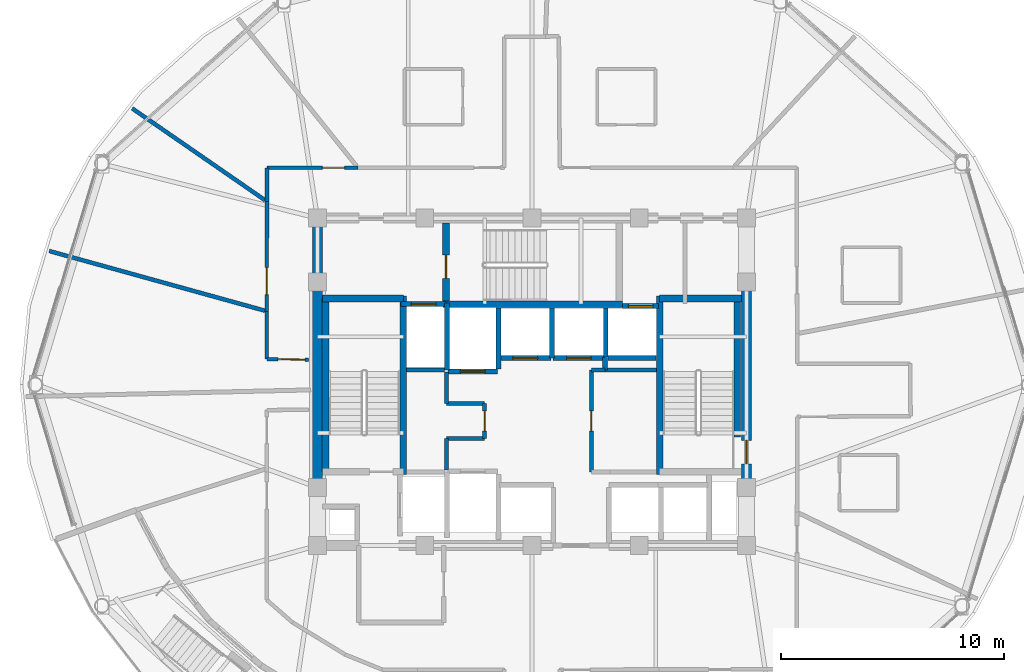
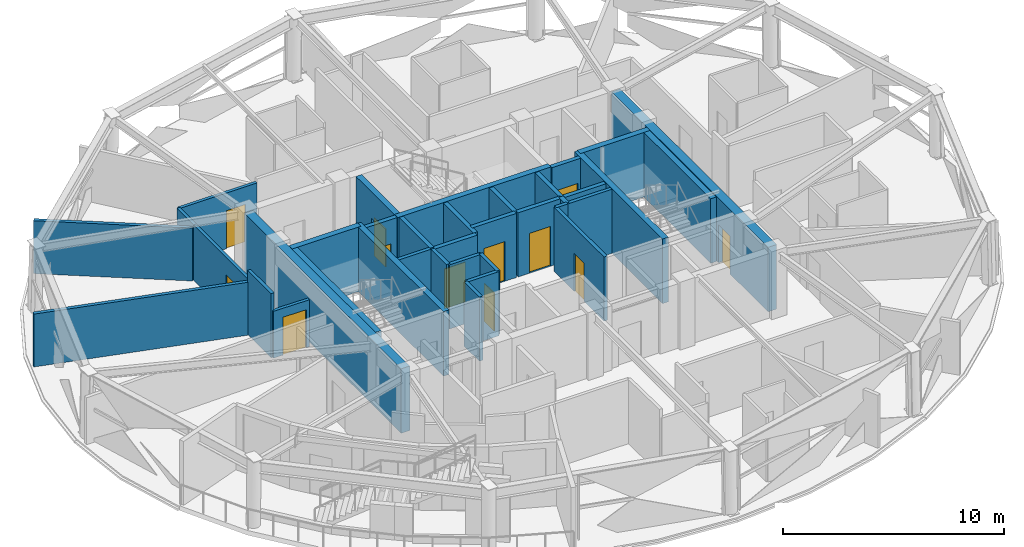
# One storey, part 11 of 17: 37 walls, 12 doors, 12 openings.
"""IFC4 building model written with IfcOpenShell, lengths in metres."""

from ifc_helpers import new_model, si_unit, direction, frame, frame_2d, origin, place, context, subcontext, project, spatial, rectangle, extrude, material, layer, layer_set, type_object, element, fill, save


model = new_model("IFC4")

# Units and contexts
model_context = context("Model", 3, precision=1e-05, world=origin(), true_north=direction((0.0, 1.0)))
body_context = subcontext(model_context, "Body", "Model", "MODEL_VIEW")
ifc_project = project(units=[si_unit("LENGTHUNIT", "METRE"), si_unit("AREAUNIT", "SQUARE_METRE"), si_unit("VOLUMEUNIT", "CUBIC_METRE"), si_unit("PLANEANGLEUNIT", "RADIAN"), si_unit("MASSUNIT", "GRAM", prefix="KILO")], contexts=[model_context])

# Site, building, storey
site_placement = place(None, origin())
site = spatial("IfcSite", under=ifc_project, at=site_placement, CompositionType="ELEMENT")
building_placement = place(site_placement, origin())
building = spatial("IfcBuilding", under=site, at=building_placement, Name="Vantalir Tower", CompositionType="ELEMENT")
storey_placement = place(building_placement, frame((0.0, 0.0, 208.64990234375)))
storey = spatial("IfcBuildingStorey", under=building, at=storey_placement, Name="L52", CompositionType="ELEMENT", Elevation=208.64990234375)

# Wall
ifc_material_1 = material(Name="Concrete C50/60", Category="concrete")
ifc_layer_1 = layer(ifc_material_1, 0.449951171875)
ifc_layer_set_1 = layer_set([ifc_layer_1], Name="Concrete C50/60")
wall_type_1 = type_object("IfcWallType", Name="WL-CORE-450", PredefinedType="SHEAR", material=ifc_layer_set_1)
wall_1_placement = place(storey_placement, frame((21.89990234375, 18.02490234375, 0.0), z_axis=(0.0, 0.0, 1.0), x_axis=(0.0, 1.0, 0.0)))
element("IfcWall", 1, at=wall_1_placement, inside=storey, type_object=wall_type_1, Name="L52 Core Shear Wall West", PredefinedType="SHEAR", context=body_context, shape_type="SweptSolid", body=[
    extrude(rectangle(XDim=14.2001953125, YDim=0.449951171875, at=frame_2d((7.10009765625, 0.0))), origin(), (0.0, 0.0, 1.0), 3.570068359375),
])

# Wall, opening, door
wall_2_placement = place(storey_placement, frame((41.10009765625, 18.02490234375, 0.0), z_axis=(0.0, 0.0, 1.0), x_axis=(0.0, 1.0, 0.0)))
wall_2 = element("IfcWall", 2, at=wall_2_placement, inside=storey, type_object=wall_type_1, Name="L52 Core Shear Wall East", PredefinedType="SHEAR", context=body_context, shape_type="SweptSolid", body=[
    extrude(rectangle(XDim=14.2001953125, YDim=0.449951171875, at=frame_2d((7.10009765625, 0.0))), origin(), (0.0, 0.0, 1.0), 3.570068359375),
])
opening_1_placement = place(wall_2_placement, frame((3.43505859375, 0.0, 0.0)))
opening_1 = element("IfcOpeningElement", 3, at=opening_1_placement, cuts=wall_2, Name="Opening D-ST", PredefinedType="OPENING", context=body_context, shape_type="SweptSolid", body=[
    extrude(rectangle(XDim=1.050048828125, YDim=2.10009765625, at=frame_2d((0.52490234375, 1.050048828125))), frame((0.0, 0.23486328125, 0.0), z_axis=(0.0, -1.0, 0.0), x_axis=(1.0, 0.0, 0.0)), (0.0, 0.0, 1.0), 0.469970703125),
])
ifc_material_2 = material(Name="Fire-rated steel door leaf", Category="steel")
door_type_1 = type_object("IfcDoorType", Name="DR-FIRE-STAIR-1050", OperationType="NOTDEFINED", PredefinedType="DOOR", material=ifc_material_2)
door_1_placement = place(opening_1_placement, origin())
door_1 = element("IfcDoor", 4, at=door_1_placement, inside=storey, type_object=door_type_1, Name="L52 Exit Stair ST2 Fire Door", OperationType="SINGLE_SWING_LEFT", OverallHeight=2.10009765625, OverallWidth=1.050048828125, PredefinedType="DOOR", context=body_context, shape_type="SweptSolid", body=[
    extrude(rectangle(XDim=1.050048828125, YDim=2.10009765625, at=frame_2d((0.52490234375, 1.050048828125))), frame((0.0, 0.02490234375, 0.0), z_axis=(0.0, -1.0, 0.0), x_axis=(1.0, 0.0, 0.0)), (0.0, 0.0, 1.0), 0.050048828125),
])
fill(opening_1, door_1)

ifc_material_3 = material(Name="Fire-rated hotel corridor acoustic partition", Category="gypsum")
ifc_layer_2 = layer(ifc_material_3, 0.159912109375)
ifc_layer_set_2 = layer_set([ifc_layer_2], Name="Fire-rated hotel corridor acoustic partition")
wall_type_2 = type_object("IfcWallType", Name="WL-CORR-160", PredefinedType="PARTITIONING", material=ifc_layer_set_2)
wall_3_placement = place(storey_placement, frame((21.4951171875, 26.116943359375, 0.0), z_axis=(0.0, 0.0, 1.0), x_axis=(-0.999908537082, 0.013524698532, 0.0)))
wall_3 = element("IfcWall", 5, at=wall_3_placement, inside=storey, type_object=wall_type_2, Name="L52 Corridor Partition 01", PredefinedType="PARTITIONING", context=body_context, shape_type="SweptSolid", body=[
    extrude(rectangle(XDim=1.859375, YDim=0.159912109375, at=frame_2d((0.9296875, 0.0))), origin(), (0.0, 0.0, 1.0), 2.59521484375),
])
opening_2_placement = place(wall_3_placement, frame((0.159912109375, 0.0, 0.0)))
opening_2 = element("IfcOpeningElement", 6, at=opening_2_placement, cuts=wall_3, Name="Opening D-STE", PredefinedType="OPENING", context=body_context, shape_type="SweptSolid", body=[
    extrude(rectangle(XDim=1.199951171875, YDim=2.10009765625, at=frame_2d((0.60009765625, 1.050048828125))), frame((0.0, 0.08984375, 0.0), z_axis=(0.0, -1.0, 0.0), x_axis=(1.0, 0.0, 0.0)), (0.0, 0.0, 1.0), 0.179931640625),
])
ifc_material_4 = material(Name="Solid-core teak veneer suite entrance door", Category="wood")
door_type_2 = type_object("IfcDoorType", Name="DR-SUITE-ENTRY-1200", OperationType="NOTDEFINED", PredefinedType="DOOR", material=ifc_material_4)
door_2_placement = place(opening_2_placement, origin())
door_2 = element("IfcDoor", 7, at=door_2_placement, inside=storey, type_object=door_type_2, Name="L52 Club Reading Lounge 06 Door", OperationType="SINGLE_SWING_LEFT", OverallHeight=2.10009765625, OverallWidth=1.199951171875, PredefinedType="DOOR", context=body_context, shape_type="SweptSolid", body=[
    extrude(rectangle(XDim=1.199951171875, YDim=2.10009765625, at=frame_2d((0.60009765625, 1.050048828125))), frame((0.0, 0.02490234375, 0.0), z_axis=(0.0, -1.0, 0.0), x_axis=(1.0, 0.0, 0.0)), (0.0, 0.0, 1.0), 0.050048828125),
])
fill(opening_2, door_2)

# Wall
wall_4_placement = place(storey_placement, frame((19.635986328125, 26.14208984375, 0.0), z_axis=(0.0, 0.0, 1.0), x_axis=(0.00091230433, 0.99999958385, 0.0)))
element("IfcWall", 8, at=wall_4_placement, inside=storey, type_object=wall_type_2, Name="L52 Corridor Partition 02", PredefinedType="PARTITIONING", context=body_context, shape_type="SweptSolid", body=[
    extrude(rectangle(XDim=2.140869140625, YDim=0.159912109375, at=frame_2d((1.0703125, 0.0))), origin(), (0.0, 0.0, 1.0), 3.550048828125),
])

# Wall, opening, door
wall_5_placement = place(storey_placement, frame((19.637939453125, 28.282958984375, 0.0), z_axis=(0.0, 0.0, 1.0), x_axis=(0.001044152175, 0.999999454873, 0.0)))
wall_5 = element("IfcWall", 9, at=wall_5_placement, inside=storey, type_object=wall_type_2, Name="L52 Corridor Partition 03", PredefinedType="PARTITIONING", context=body_context, shape_type="SweptSolid", body=[
    extrude(rectangle(XDim=4.91015625, YDim=0.159912109375, at=frame_2d((2.455078125, 0.0))), origin(), (0.0, 0.0, 1.0), 3.0810546875),
])
opening_3_placement = place(wall_5_placement, frame((0.75, 0.0, 0.0)))
opening_3 = element("IfcOpeningElement", 10, at=opening_3_placement, cuts=wall_5, Name="Opening D-STE", PredefinedType="OPENING", context=body_context, shape_type="SweptSolid", body=[
    extrude(rectangle(XDim=1.199951171875, YDim=2.10009765625, at=frame_2d((0.60009765625, 1.050048828125))), frame((0.0, 0.08984375, 0.0), z_axis=(0.0, -1.0, 0.0), x_axis=(1.0, 0.0, 0.0)), (0.0, 0.0, 1.0), 0.179931640625),
])
door_3_placement = place(opening_3_placement, origin())
door_3 = element("IfcDoor", 11, at=door_3_placement, inside=storey, type_object=door_type_2, Name="L52 Club Reading Lounge 05 Door", OperationType="SINGLE_SWING_RIGHT", OverallHeight=2.10009765625, OverallWidth=1.199951171875, PredefinedType="DOOR", context=body_context, shape_type="SweptSolid", body=[
    extrude(rectangle(XDim=1.199951171875, YDim=2.10009765625, at=frame_2d((0.60009765625, 1.050048828125))), frame((0.0, 0.02490234375, 0.0), z_axis=(0.0, -1.0, 0.0), x_axis=(1.0, 0.0, 0.0)), (0.0, 0.0, 1.0), 0.050048828125),
])
fill(opening_3, door_3)

# Wall
wall_6_placement = place(storey_placement, frame((19.64306640625, 33.193115234375, 0.0), z_axis=(0.0, 0.0, 1.0), x_axis=(0.000648088004, 0.999999789991, 0.0)))
element("IfcWall", 12, at=wall_6_placement, inside=storey, type_object=wall_type_2, Name="L52 Corridor Partition 04", PredefinedType="PARTITIONING", context=body_context, shape_type="SweptSolid", body=[
    extrude(rectangle(XDim=1.5068359375, YDim=0.159912109375, at=frame_2d((0.75341796875, 0.0))), origin(), (0.0, 0.0, 1.0), 3.0810546875),
])

# Wall, opening, door
wall_7_placement = place(storey_placement, frame((19.64404296875, 34.699951171875, 0.0), z_axis=(0.0, 0.0, 1.0), x_axis=(0.999998873831, 0.001500778716, 0.0)))
wall_7 = element("IfcWall", 13, at=wall_7_placement, inside=storey, type_object=wall_type_2, Name="L52 Corridor Partition 05", PredefinedType="PARTITIONING", context=body_context, shape_type="SweptSolid", body=[
    extrude(rectangle(XDim=4.06689453125, YDim=0.159912109375, at=frame_2d((2.033447265625, 0.0))), origin(), (0.0, 0.0, 1.0), 3.0810546875),
])
opening_4_placement = place(wall_7_placement, frame((2.472900390625, 0.0, 0.0)))
opening_4 = element("IfcOpeningElement", 14, at=opening_4_placement, cuts=wall_7, Name="Opening D-GUEST", PredefinedType="OPENING", context=body_context, shape_type="SweptSolid", body=[
    extrude(rectangle(XDim=1.0, YDim=2.10009765625, at=frame_2d((0.5, 1.050048828125))), frame((0.0, 0.08984375, 0.0), z_axis=(0.0, -1.0, 0.0), x_axis=(1.0, 0.0, 0.0)), (0.0, 0.0, 1.0), 0.179931640625),
])
ifc_material_5 = material(Name="Solid-core teak veneer acoustic fire door", Category="wood")
door_type_3 = type_object("IfcDoorType", Name="DR-GUEST-ENTRY-1000", OperationType="NOTDEFINED", PredefinedType="DOOR", material=ifc_material_5)
door_4_placement = place(opening_4_placement, origin())
door_4 = element("IfcDoor", 15, at=door_4_placement, inside=storey, type_object=door_type_3, Name="L52 Executive Business Study 04 Door", OperationType="SINGLE_SWING_LEFT", OverallHeight=2.10009765625, OverallWidth=1.0, PredefinedType="DOOR", context=body_context, shape_type="SweptSolid", body=[
    extrude(rectangle(XDim=1.0, YDim=2.10009765625, at=frame_2d((0.5, 1.050048828125))), frame((0.0, 0.02490234375, 0.0), z_axis=(0.0, -1.0, 0.0), x_axis=(1.0, 0.0, 0.0)), (0.0, 0.0, 1.0), 0.050048828125),
])
fill(opening_4, door_4)

# Walls
ifc_material_6 = material(Name="Concrete blockwork with fireboard lining", Category="masonry")
ifc_layer_3 = layer(ifc_material_6, 0.219970703125)
ifc_layer_set_3 = layer_set([ifc_layer_3], Name="Concrete blockwork with fireboard lining")
wall_type_3 = type_object("IfcWallType", Name="WL-FFL-220", PredefinedType="PARTITIONING", material=ifc_layer_set_3)
wall_8_placement = place(storey_placement, frame((30.0, 25.7099609375, 0.0), z_axis=(0.0, 0.0, 1.0), x_axis=(0.0, 1.0, 0.0)))
element("IfcWall", 16, at=wall_8_placement, inside=storey, type_object=wall_type_3, Name="L52 Service Lift SV2 East Shaft Wall", PredefinedType="PARTITIONING", context=body_context, shape_type="SweptSolid", body=[
    extrude(rectangle(XDim=2.72998046875, YDim=0.219970703125, at=frame_2d((1.364990234375, 0.0))), origin(), (0.0, 0.0, 1.0), 3.545166015625),
])
wall_9_placement = place(storey_placement, frame((32.39990234375, 26.199951171875, 0.0), z_axis=(0.0, 0.0, 1.0), x_axis=(0.0, 1.0, 0.0)))
element("IfcWall", 17, at=wall_9_placement, inside=storey, type_object=wall_type_3, Name="L52 High-Rise Lift PL-H1/H2 Shaft Divider", PredefinedType="PARTITIONING", context=body_context, shape_type="SweptSolid", body=[
    extrude(rectangle(XDim=2.239990234375, YDim=0.219970703125, at=frame_2d((1.1201171875, 0.0))), origin(), (0.0, 0.0, 1.0), 3.545166015625),
])
wall_10_placement = place(storey_placement, frame((34.800048828125, 26.22998046875, 0.0), z_axis=(0.0, 0.0, 1.0), x_axis=(0.0, 1.0, 0.0)))
element("IfcWall", 18, at=wall_10_placement, inside=storey, type_object=wall_type_3, Name="L52 High-Rise Lift PL-H2/H3 Shaft Divider", PredefinedType="PARTITIONING", context=body_context, shape_type="SweptSolid", body=[
    extrude(rectangle(XDim=2.2099609375, YDim=0.219970703125, at=frame_2d((1.10498046875, 0.0))), origin(), (0.0, 0.0, 1.0), 3.545166015625),
])
wall_11_placement = place(storey_placement, frame((34.909912109375, 26.18994140625, 0.0), z_axis=(0.0, 0.0, 1.0), x_axis=(1.0, 0.0, 0.0)))
element("IfcWall", 19, at=wall_11_placement, inside=storey, type_object=wall_type_3, Name="L52 High-Rise Lift PL-H3 Rear Shaft Wall", PredefinedType="PARTITIONING", context=body_context, shape_type="SweptSolid", body=[
    extrude(rectangle(XDim=2.14013671875, YDim=0.219970703125, at=frame_2d((1.070068359375, 0.0))), origin(), (0.0, 0.0, 1.0), 3.545166015625),
])

# Wall, opening, door
wall_12_placement = place(storey_placement, frame((25.639892578125, 28.610107421875, 0.0), z_axis=(0.0, 0.0, 1.0), x_axis=(1.0, 0.0, 0.0)))
wall_12 = element("IfcWall", 20, at=wall_12_placement, inside=storey, type_object=wall_type_3, Name="L52 Lift FL2 Shaft Front Wall", PredefinedType="PARTITIONING", context=body_context, shape_type="SweptSolid", body=[
    extrude(rectangle(XDim=2.02001953125, YDim=0.219970703125, at=frame_2d((1.010009765625, 0.0))), origin(), (0.0, 0.0, 1.0), 3.550048828125),
])
opening_5_placement = place(wall_12_placement, frame((0.4599609375, 0.0, 0.0)))
opening_5 = element("IfcOpeningElement", 21, at=opening_5_placement, cuts=wall_12, Name="Opening LD-FL2", PredefinedType="OPENING", context=body_context, shape_type="SweptSolid", body=[
    extrude(rectangle(XDim=1.10009765625, YDim=2.199951171875, at=frame_2d((0.550048828125, 1.10009765625))), frame((0.0, 0.119873046875, 0.0), z_axis=(0.0, -1.0, 0.0), x_axis=(1.0, 0.0, 0.0)), (0.0, 0.0, 1.0), 0.239990234375),
])
ifc_material_7 = material(Name="Brushed stainless-steel sliding lift landing door", Category="steel")
door_type_4 = type_object("IfcDoorType", Name="DR-LIFT-LANDING-1100", OperationType="DOUBLE_DOOR_SLIDING", PredefinedType="DOOR", material=ifc_material_7)
door_5_placement = place(opening_5_placement, origin())
door_5 = element("IfcDoor", 22, at=door_5_placement, inside=storey, type_object=door_type_4, Name="L52 Lift Landing Door FL2", OperationType="DOUBLE_DOOR_SLIDING", OverallHeight=2.199951171875, OverallWidth=1.10009765625, PredefinedType="DOOR", context=body_context, shape_type="SweptSolid", body=[
    extrude(rectangle(XDim=1.10009765625, YDim=2.199951171875, at=frame_2d((0.550048828125, 1.10009765625))), frame((0.0, 0.02490234375, 0.0), z_axis=(0.0, -1.0, 0.0), x_axis=(1.0, 0.0, 0.0)), (0.0, 0.0, 1.0), 0.050048828125),
])
fill(opening_5, door_5)

wall_13_placement = place(storey_placement, frame((27.739990234375, 25.590087890625, 0.0), z_axis=(0.0, 0.0, 1.0), x_axis=(1.0, 0.0, 0.0)))
wall_13 = element("IfcWall", 23, at=wall_13_placement, inside=storey, type_object=wall_type_3, Name="L52 Lift SV2 Shaft Front Wall", PredefinedType="PARTITIONING", context=body_context, shape_type="SweptSolid", body=[
    extrude(rectangle(XDim=2.219970703125, YDim=0.219970703125, at=frame_2d((1.10986328125, 0.0))), origin(), (0.0, 0.0, 1.0), 3.550048828125),
])
opening_6_placement = place(wall_13_placement, frame((0.56005859375, 0.0, 0.0)))
opening_6 = element("IfcOpeningElement", 24, at=opening_6_placement, cuts=wall_13, Name="Opening LD-SV2", PredefinedType="OPENING", context=body_context, shape_type="SweptSolid", body=[
    extrude(rectangle(XDim=1.10009765625, YDim=2.199951171875, at=frame_2d((0.550048828125, 1.10009765625))), frame((0.0, 0.119873046875, 0.0), z_axis=(0.0, -1.0, 0.0), x_axis=(1.0, 0.0, 0.0)), (0.0, 0.0, 1.0), 0.239990234375),
])
door_6_placement = place(opening_6_placement, frame((1.10009765625, 0.0, 0.0), z_axis=(0.0, 0.0, 1.0), x_axis=(-1.0, 0.0, 0.0)))
door_6 = element("IfcDoor", 25, at=door_6_placement, inside=storey, type_object=door_type_4, Name="L52 Lift Landing Door SV2", OperationType="DOUBLE_DOOR_SLIDING", OverallHeight=2.199951171875, OverallWidth=1.10009765625, PredefinedType="DOOR", context=body_context, shape_type="SweptSolid", body=[
    extrude(rectangle(XDim=1.10009765625, YDim=2.199951171875, at=frame_2d((0.550048828125, 1.10009765625))), frame((0.0, 0.02490234375, 0.0), z_axis=(0.0, -1.0, 0.0), x_axis=(1.0, 0.0, 0.0)), (0.0, 0.0, 1.0), 0.050048828125),
])
fill(opening_6, door_6)

wall_14_placement = place(storey_placement, frame((30.0400390625, 26.18994140625, 0.0), z_axis=(0.0, 0.0, 1.0), x_axis=(1.0, 0.0, 0.0)))
wall_14 = element("IfcWall", 26, at=wall_14_placement, inside=storey, type_object=wall_type_3, Name="L52 Lift PL-H1 Shaft Front Wall", PredefinedType="PARTITIONING", context=body_context, shape_type="SweptSolid", body=[
    extrude(rectangle(XDim=2.320068359375, YDim=0.219970703125, at=frame_2d((1.16015625, 0.0))), origin(), (0.0, 0.0, 1.0), 3.550048828125),
])
opening_7_placement = place(wall_14_placement, frame((0.610107421875, 0.0, 0.0)))
opening_7 = element("IfcOpeningElement", 27, at=opening_7_placement, cuts=wall_14, Name="Opening LD-PL-H1", PredefinedType="OPENING", context=body_context, shape_type="SweptSolid", body=[
    extrude(rectangle(XDim=1.10009765625, YDim=2.199951171875, at=frame_2d((0.550048828125, 1.10009765625))), frame((0.0, 0.119873046875, 0.0), z_axis=(0.0, -1.0, 0.0), x_axis=(1.0, 0.0, 0.0)), (0.0, 0.0, 1.0), 0.239990234375),
])
door_7_placement = place(opening_7_placement, frame((1.10009765625, 0.0, 0.0), z_axis=(0.0, 0.0, 1.0), x_axis=(-1.0, 0.0, 0.0)))
door_7 = element("IfcDoor", 28, at=door_7_placement, inside=storey, type_object=door_type_4, Name="L52 Lift Landing Door PL-H1", OperationType="DOUBLE_DOOR_SLIDING", OverallHeight=2.199951171875, OverallWidth=1.10009765625, PredefinedType="DOOR", context=body_context, shape_type="SweptSolid", body=[
    extrude(rectangle(XDim=1.10009765625, YDim=2.199951171875, at=frame_2d((0.550048828125, 1.10009765625))), frame((0.0, 0.02490234375, 0.0), z_axis=(0.0, -1.0, 0.0), x_axis=(1.0, 0.0, 0.0)), (0.0, 0.0, 1.0), 0.050048828125),
])
fill(opening_7, door_7)

wall_15_placement = place(storey_placement, frame((32.43994140625, 26.18994140625, 0.0), z_axis=(0.0, 0.0, 1.0), x_axis=(1.0, 0.0, 0.0)))
wall_15 = element("IfcWall", 29, at=wall_15_placement, inside=storey, type_object=wall_type_3, Name="L52 Lift PL-H2 Shaft Front Wall", PredefinedType="PARTITIONING", context=body_context, shape_type="SweptSolid", body=[
    extrude(rectangle(XDim=2.320068359375, YDim=0.219970703125, at=frame_2d((1.16015625, 0.0))), origin(), (0.0, 0.0, 1.0), 3.550048828125),
])
opening_8_placement = place(wall_15_placement, frame((0.610107421875, 0.0, 0.0)))
opening_8 = element("IfcOpeningElement", 30, at=opening_8_placement, cuts=wall_15, Name="Opening LD-PL-H2", PredefinedType="OPENING", context=body_context, shape_type="SweptSolid", body=[
    extrude(rectangle(XDim=1.10009765625, YDim=2.199951171875, at=frame_2d((0.550048828125, 1.10009765625))), frame((0.0, 0.119873046875, 0.0), z_axis=(0.0, -1.0, 0.0), x_axis=(1.0, 0.0, 0.0)), (0.0, 0.0, 1.0), 0.239990234375),
])
door_8_placement = place(opening_8_placement, frame((1.10009765625, 0.0, 0.0), z_axis=(0.0, 0.0, 1.0), x_axis=(-1.0, 0.0, 0.0)))
door_8 = element("IfcDoor", 31, at=door_8_placement, inside=storey, type_object=door_type_4, Name="L52 Lift Landing Door PL-H2", OperationType="DOUBLE_DOOR_SLIDING", OverallHeight=2.199951171875, OverallWidth=1.10009765625, PredefinedType="DOOR", context=body_context, shape_type="SweptSolid", body=[
    extrude(rectangle(XDim=1.10009765625, YDim=2.199951171875, at=frame_2d((0.550048828125, 1.10009765625))), frame((0.0, 0.02490234375, 0.0), z_axis=(0.0, -1.0, 0.0), x_axis=(1.0, 0.0, 0.0)), (0.0, 0.0, 1.0), 0.050048828125),
])
fill(opening_8, door_8)

wall_16_placement = place(storey_placement, frame((35.56005859375, 28.510009765625, 0.0), z_axis=(0.0, 0.0, 1.0), x_axis=(1.0, 0.0, 0.0)))
wall_16 = element("IfcWall", 32, at=wall_16_placement, inside=storey, type_object=wall_type_3, Name="L52 Lift PL-H3 Shaft Front Wall", PredefinedType="PARTITIONING", context=body_context, shape_type="SweptSolid", body=[
    extrude(rectangle(XDim=1.599853515625, YDim=0.219970703125, at=frame_2d((0.7998046875, 0.0))), origin(), (0.0, 0.0, 1.0), 3.550048828125),
])
opening_9_placement = place(wall_16_placement, frame((0.25, 0.0, 0.0)))
opening_9 = element("IfcOpeningElement", 33, at=opening_9_placement, cuts=wall_16, Name="Opening LD-PL-H3", PredefinedType="OPENING", context=body_context, shape_type="SweptSolid", body=[
    extrude(rectangle(XDim=1.10009765625, YDim=2.199951171875, at=frame_2d((0.550048828125, 1.10009765625))), frame((0.0, 0.119873046875, 0.0), z_axis=(0.0, -1.0, 0.0), x_axis=(1.0, 0.0, 0.0)), (0.0, 0.0, 1.0), 0.239990234375),
])
door_9_placement = place(opening_9_placement, origin())
door_9 = element("IfcDoor", 34, at=door_9_placement, inside=storey, type_object=door_type_4, Name="L52 Lift Landing Door PL-H3", OperationType="DOUBLE_DOOR_SLIDING", OverallHeight=2.199951171875, OverallWidth=1.10009765625, PredefinedType="DOOR", context=body_context, shape_type="SweptSolid", body=[
    extrude(rectangle(XDim=1.10009765625, YDim=2.199951171875, at=frame_2d((0.550048828125, 1.10009765625))), frame((0.0, 0.02490234375, 0.0), z_axis=(0.0, -1.0, 0.0), x_axis=(1.0, 0.0, 0.0)), (0.0, 0.0, 1.0), 0.050048828125),
])
fill(opening_9, door_9)

# Walls
wall_17_placement = place(storey_placement, frame((27.699951171875, 25.64990234375, 0.0), z_axis=(0.0, 0.0, 1.0), x_axis=(0.0, 1.0, 0.0)))
element("IfcWall", 35, at=wall_17_placement, inside=storey, type_object=wall_type_3, Name="L52 Fire Lift FL2 Dividing Wall", PredefinedType="PARTITIONING", context=body_context, shape_type="SweptSolid", body=[
    extrude(rectangle(XDim=3.0, YDim=0.219970703125, at=frame_2d((1.5, 0.0))), origin(), (0.0, 0.0, 1.0), 3.550048828125),
])
wall_18_placement = place(storey_placement, frame((34.760009765625, 25.64990234375, 0.0), z_axis=(0.0, 0.0, 1.0), x_axis=(0.0, 1.0, 0.0)))
element("IfcWall", 36, at=wall_18_placement, inside=storey, type_object=wall_type_3, Name="L52 High-Rise Shaft Shoulder Wall", PredefinedType="PARTITIONING", context=body_context, shape_type="SweptSolid", body=[
    extrude(rectangle(XDim=0.570068359375, YDim=0.219970703125, at=frame_2d((0.28515625, 0.0))), origin(), (0.0, 0.0, 1.0), 3.550048828125),
])
ifc_material_8 = material(Name="Twin-stud acoustic fire-rated gypsum partition", Category="gypsum")
ifc_layer_4 = layer(ifc_material_8, 0.179931640625)
ifc_layer_set_4 = layer_set([ifc_layer_4], Name="Twin-stud acoustic fire-rated gypsum partition")
wall_type_4 = type_object("IfcWallType", Name="WL-GUEST-180", PredefinedType="PARTITIONING", material=ifc_layer_set_4)
wall_19_placement = place(storey_placement, frame((25.889892578125, 25.64990234375, 0.0), z_axis=(0.0, 0.0, 1.0), x_axis=(1.0, 0.0, 0.0)))
element("IfcWall", 37, at=wall_19_placement, inside=storey, type_object=wall_type_4, Name="L52 Freed West Core North Wall", PredefinedType="PARTITIONING", context=body_context, shape_type="SweptSolid", body=[
    extrude(rectangle(XDim=1.7001953125, YDim=0.179931640625, at=frame_2d((0.85009765625, 0.0))), origin(), (0.0, 0.0, 1.0), 3.550048828125),
])
wall_20_placement = place(storey_placement, frame((27.679931640625, 21.18994140625, 0.0), z_axis=(0.0, 0.0, 1.0), x_axis=(0.0, 1.0, 0.0)))
element("IfcWall", 38, at=wall_20_placement, inside=storey, type_object=wall_type_4, Name="L52 West IT Room Lower East Wall", PredefinedType="PARTITIONING", context=body_context, shape_type="SweptSolid", body=[
    extrude(rectangle(XDim=1.39013671875, YDim=0.179931640625, at=frame_2d((0.695068359375, 0.0))), origin(), (0.0, 0.0, 1.0), 3.550048828125),
])
wall_21_placement = place(storey_placement, frame((27.679931640625, 22.580078125, 0.0), z_axis=(0.0, 0.0, 1.0), x_axis=(1.0, 0.0, 0.0)))
element("IfcWall", 39, at=wall_21_placement, inside=storey, type_object=wall_type_4, Name="L52 West IT Room Alcove South Wall", PredefinedType="PARTITIONING", context=body_context, shape_type="SweptSolid", body=[
    extrude(rectangle(XDim=1.699951171875, YDim=0.179931640625, at=frame_2d((0.85009765625, 0.0))), origin(), (0.0, 0.0, 1.0), 3.550048828125),
])

# Wall, opening, door
wall_22_placement = place(storey_placement, frame((29.3798828125, 22.580078125, 0.0), z_axis=(0.0, 0.0, 1.0), x_axis=(0.0, 1.0, 0.0)))
wall_22 = element("IfcWall", 40, at=wall_22_placement, inside=storey, type_object=wall_type_4, Name="L52 West IT Room Alcove East Wall", PredefinedType="PARTITIONING", context=body_context, shape_type="SweptSolid", body=[
    extrude(rectangle(XDim=1.579833984375, YDim=0.179931640625, at=frame_2d((0.7900390625, 0.0))), origin(), (0.0, 0.0, 1.0), 3.550048828125),
])
opening_10_placement = place(wall_22_placement, frame((0.340087890625, 0.0, 0.0)))
opening_10 = element("IfcOpeningElement", 41, at=opening_10_placement, cuts=wall_22, Name="Opening D-CR", PredefinedType="OPENING", context=body_context, shape_type="SweptSolid", body=[
    extrude(rectangle(XDim=0.89990234375, YDim=2.10009765625, at=frame_2d((0.449951171875, 1.050048828125))), frame((0.0, 0.099853515625, 0.0), z_axis=(0.0, -1.0, 0.0), x_axis=(1.0, 0.0, 0.0)), (0.0, 0.0, 1.0), 0.199951171875),
])
ifc_material_9 = material(Name="Fire-rated steel core service door", Category="steel")
door_type_5 = type_object("IfcDoorType", Name="DR-CORE-SERV-900", OperationType="NOTDEFINED", PredefinedType="DOOR", material=ifc_material_9)
door_10_placement = place(opening_10_placement, origin())
door_10 = element("IfcDoor", 42, at=door_10_placement, inside=storey, type_object=door_type_5, Name="L52 Core IT Comms Door", OperationType="SINGLE_SWING_RIGHT", OverallHeight=2.10009765625, OverallWidth=0.89990234375, PredefinedType="DOOR", context=body_context, shape_type="SweptSolid", body=[
    extrude(rectangle(XDim=0.89990234375, YDim=2.10009765625, at=frame_2d((0.449951171875, 1.050048828125))), frame((0.0, 0.02490234375, 0.0), z_axis=(0.0, -1.0, 0.0), x_axis=(1.0, 0.0, 0.0)), (0.0, 0.0, 1.0), 0.050048828125),
])
fill(opening_10, door_10)

# Walls
wall_23_placement = place(storey_placement, frame((27.679931640625, 24.159912109375, 0.0), z_axis=(0.0, 0.0, 1.0), x_axis=(1.0, 0.0, 0.0)))
element("IfcWall", 43, at=wall_23_placement, inside=storey, type_object=wall_type_4, Name="L52 West IT Room Alcove North Wall", PredefinedType="PARTITIONING", context=body_context, shape_type="SweptSolid", body=[
    extrude(rectangle(XDim=1.699951171875, YDim=0.179931640625, at=frame_2d((0.85009765625, 0.0))), origin(), (0.0, 0.0, 1.0), 3.550048828125),
])
wall_24_placement = place(storey_placement, frame((27.679931640625, 24.159912109375, 0.0), z_axis=(0.0, 0.0, 1.0), x_axis=(0.0, 1.0, 0.0)))
element("IfcWall", 44, at=wall_24_placement, inside=storey, type_object=wall_type_4, Name="L52 West IT Room Upper East Wall", PredefinedType="PARTITIONING", context=body_context, shape_type="SweptSolid", body=[
    extrude(rectangle(XDim=1.400146484375, YDim=0.179931640625, at=frame_2d((0.7001953125, 0.0))), origin(), (0.0, 0.0, 1.0), 3.550048828125),
])
wall_25_placement = place(storey_placement, frame((34.719970703125, 25.64990234375, 0.0), z_axis=(0.0, 0.0, 1.0), x_axis=(1.0, 0.0, 0.0)))
element("IfcWall", 45, at=wall_25_placement, inside=storey, type_object=wall_type_4, Name="L52 Freed East Core North Wall", PredefinedType="PARTITIONING", context=body_context, shape_type="SweptSolid", body=[
    extrude(rectangle(XDim=2.340087890625, YDim=0.179931640625, at=frame_2d((1.169921875, 0.0))), origin(), (0.0, 0.0, 1.0), 3.550048828125),
])
wall_26_placement = place(storey_placement, frame((34.159912109375, 25.64990234375, 0.0), z_axis=(0.0, 0.0, 1.0), x_axis=(1.0, 0.0, 0.0)))
element("IfcWall", 46, at=wall_26_placement, inside=storey, type_object=wall_type_4, Name="L52 East IT Room North Return", PredefinedType="PARTITIONING", context=body_context, shape_type="SweptSolid", body=[
    extrude(rectangle(XDim=0.60009765625, YDim=0.179931640625, at=frame_2d((0.300048828125, 0.0))), origin(), (0.0, 0.0, 1.0), 3.550048828125),
])

# Wall, opening, door
wall_27_placement = place(storey_placement, frame((34.159912109375, 21.10009765625, 0.0), z_axis=(0.0, 0.0, 1.0), x_axis=(0.0, 1.0, 0.0)))
wall_27 = element("IfcWall", 47, at=wall_27_placement, inside=storey, type_object=wall_type_4, Name="L52 East IT Room West Wall", PredefinedType="PARTITIONING", context=body_context, shape_type="SweptSolid", body=[
    extrude(rectangle(XDim=4.5498046875, YDim=0.179931640625, at=frame_2d((2.27490234375, 0.0))), origin(), (0.0, 0.0, 1.0), 3.550048828125),
])
opening_11_placement = place(wall_27_placement, frame((1.824951171875, 0.0, 0.0)))
opening_11 = element("IfcOpeningElement", 48, at=opening_11_placement, cuts=wall_27, Name="Opening D-CR", PredefinedType="OPENING", context=body_context, shape_type="SweptSolid", body=[
    extrude(rectangle(XDim=0.89990234375, YDim=2.10009765625, at=frame_2d((0.449951171875, 1.050048828125))), frame((0.0, 0.099853515625, 0.0), z_axis=(0.0, -1.0, 0.0), x_axis=(1.0, 0.0, 0.0)), (0.0, 0.0, 1.0), 0.199951171875),
])
door_11_placement = place(opening_11_placement, frame((0.89990234375, 0.0, 0.0), z_axis=(0.0, 0.0, 1.0), x_axis=(-1.0, 0.0, 0.0)))
door_11 = element("IfcDoor", 49, at=door_11_placement, inside=storey, type_object=door_type_5, Name="L52 Core Data Switchroom Door", OperationType="SINGLE_SWING_RIGHT", OverallHeight=2.10009765625, OverallWidth=0.89990234375, PredefinedType="DOOR", context=body_context, shape_type="SweptSolid", body=[
    extrude(rectangle(XDim=0.89990234375, YDim=2.10009765625, at=frame_2d((0.449951171875, 1.050048828125))), frame((0.0, 0.02490234375, 0.0), z_axis=(0.0, -1.0, 0.0), x_axis=(1.0, 0.0, 0.0)), (0.0, 0.0, 1.0), 0.050048828125),
])
fill(opening_11, door_11)

# Walls
wall_28_placement = place(storey_placement, frame((19.56005859375, 33.25, 0.0), z_axis=(0.0, 0.0, 1.0), x_axis=(-0.822736367129, 0.568423143621, 0.0)))
element("IfcWall", 50, at=wall_28_placement, inside=storey, type_object=wall_type_4, Name="L52 Radial Suite Partition 05", PredefinedType="PARTITIONING", context=body_context, shape_type="SweptSolid", body=[
    extrude(rectangle(XDim=7.230712890625, YDim=0.179931640625, at=frame_2d((3.615234375, 0.0))), origin(), (0.0, 0.0, 1.0), 2.925048828125),
])
wall_29_placement = place(storey_placement, frame((19.56005859375, 28.304931640625, 0.0), z_axis=(0.0, 0.0, 1.0), x_axis=(-0.963756906575, 0.26678198033, 0.0)))
element("IfcWall", 51, at=wall_29_placement, inside=storey, type_object=wall_type_4, Name="L52 Radial Suite Partition 06", PredefinedType="PARTITIONING", context=body_context, shape_type="SweptSolid", body=[
    extrude(rectangle(XDim=10.0234375, YDim=0.179931640625, at=frame_2d((5.01171875, 0.0))), origin(), (0.0, 0.0, 1.0), 2.925048828125),
])
ifc_layer_5 = layer(ifc_material_1, 0.300048828125)
ifc_layer_set_5 = layer_set([ifc_layer_5], Name="Concrete C50/60")
wall_type_5 = type_object("IfcWallType", Name="WL-STAIR-300", PredefinedType="SHEAR", material=ifc_layer_set_5)
wall_30_placement = place(storey_placement, frame((22.125, 28.85009765625, 0.0), z_axis=(0.0, 0.0, 1.0), x_axis=(1.0, 0.0, 0.0)))
element("IfcWall", 52, at=wall_30_placement, inside=storey, type_object=wall_type_5, Name="L52 Stair ST1 North Wall", PredefinedType="SHEAR", context=body_context, shape_type="SweptSolid", body=[
    extrude(rectangle(XDim=3.614990234375, YDim=0.300048828125, at=frame_2d((1.8076171875, 0.0))), origin(), (0.0, 0.0, 1.0), 3.570068359375),
])
wall_31_placement = place(storey_placement, frame((25.739990234375, 20.97998046875, 0.0), z_axis=(0.0, 0.0, 1.0), x_axis=(0.0, 1.0, 0.0)))
element("IfcWall", 53, at=wall_31_placement, inside=storey, type_object=wall_type_5, Name="L52 Stair ST1 East Wall", PredefinedType="SHEAR", context=body_context, shape_type="SweptSolid", body=[
    extrude(rectangle(XDim=7.989990234375, YDim=0.300048828125, at=frame_2d((3.9951171875, 0.0))), origin(), (0.0, 0.0, 1.0), 3.570068359375),
])
wall_32_placement = place(storey_placement, frame((22.260009765625, 21.10009765625, 0.0), z_axis=(0.0, 0.0, 1.0), x_axis=(0.0, 1.0, 0.0)))
element("IfcWall", 54, at=wall_32_placement, inside=storey, type_object=wall_type_5, Name="L52 Stair ST1 West Liner Wall", PredefinedType="SHEAR", context=body_context, shape_type="SweptSolid", body=[
    extrude(rectangle(XDim=7.75, YDim=0.300048828125, at=frame_2d((3.875, 0.0))), origin(), (0.0, 0.0, 1.0), 3.570068359375),
])
wall_33_placement = place(storey_placement, frame((37.2099609375, 28.85009765625, 0.0), z_axis=(0.0, 0.0, 1.0), x_axis=(1.0, 0.0, 0.0)))
element("IfcWall", 55, at=wall_33_placement, inside=storey, type_object=wall_type_5, Name="L52 Stair ST2 North Wall", PredefinedType="SHEAR", context=body_context, shape_type="SweptSolid", body=[
    extrude(rectangle(XDim=3.6650390625, YDim=0.300048828125, at=frame_2d((1.83251953125, 0.0))), origin(), (0.0, 0.0, 1.0), 3.570068359375),
])
wall_34_placement = place(storey_placement, frame((37.2099609375, 20.97998046875, 0.0), z_axis=(0.0, 0.0, 1.0), x_axis=(0.0, 1.0, 0.0)))
element("IfcWall", 56, at=wall_34_placement, inside=storey, type_object=wall_type_5, Name="L52 Stair ST2 West Wall", PredefinedType="SHEAR", context=body_context, shape_type="SweptSolid", body=[
    extrude(rectangle(XDim=7.989990234375, YDim=0.300048828125, at=frame_2d((3.9951171875, 0.0))), origin(), (0.0, 0.0, 1.0), 3.570068359375),
])
wall_35_placement = place(storey_placement, frame((40.68994140625, 22.64990234375, 0.0), z_axis=(0.0, 0.0, 1.0), x_axis=(0.0, 1.0, 0.0)))
element("IfcWall", 57, at=wall_35_placement, inside=storey, type_object=wall_type_5, Name="L52 Stair ST2 East Liner Wall", PredefinedType="SHEAR", context=body_context, shape_type="SweptSolid", body=[
    extrude(rectangle(XDim=6.2001953125, YDim=0.300048828125, at=frame_2d((3.10009765625, 0.0))), origin(), (0.0, 0.0, 1.0), 3.570068359375),
])
wall_36_placement = place(storey_placement, frame((27.510009765625, 28.60009765625, 0.0), z_axis=(0.0, 0.0, 1.0), x_axis=(1.0, 0.0, 0.0)))
element("IfcWall", 58, at=wall_36_placement, inside=storey, type_object=wall_type_5, Name="L52 Stair ST3 South Wall", PredefinedType="SHEAR", context=body_context, shape_type="SweptSolid", body=[
    extrude(rectangle(XDim=8.030029296875, YDim=0.300048828125, at=frame_2d((4.01513671875, 0.0))), origin(), (0.0, 0.0, 1.0), 3.570068359375),
])

# Wall, opening, door
wall_37_placement = place(storey_placement, frame((27.64990234375, 28.75, 0.0), z_axis=(0.0, 0.0, 1.0), x_axis=(0.0, 1.0, 0.0)))
wall_37 = element("IfcWall", 59, at=wall_37_placement, inside=storey, type_object=wall_type_5, Name="L52 Stair ST3 West Wall", PredefinedType="SHEAR", context=body_context, shape_type="SweptSolid", body=[
    extrude(rectangle(XDim=3.47509765625, YDim=0.300048828125, at=frame_2d((1.737548828125, 0.0))), origin(), (0.0, 0.0, 1.0), 3.570068359375),
])
opening_12_placement = place(wall_37_placement, frame((1.0, 0.0, 0.0)))
opening_12 = element("IfcOpeningElement", 60, at=opening_12_placement, cuts=wall_37, Name="Opening D-ST", PredefinedType="OPENING", context=body_context, shape_type="SweptSolid", body=[
    extrude(rectangle(XDim=1.050048828125, YDim=2.10009765625, at=frame_2d((0.52490234375, 1.050048828125))), frame((0.0, 0.159912109375, 0.0), z_axis=(0.0, -1.0, 0.0), x_axis=(1.0, 0.0, 0.0)), (0.0, 0.0, 1.0), 0.320068359375),
])
door_12_placement = place(opening_12_placement, frame((1.050048828125, 0.0, 0.0), z_axis=(0.0, 0.0, 1.0), x_axis=(-1.0, 0.0, 0.0)))
door_12 = element("IfcDoor", 61, at=door_12_placement, inside=storey, type_object=door_type_1, Name="L52 Exit Stair ST3 Fire Door", OperationType="SINGLE_SWING_LEFT", OverallHeight=2.10009765625, OverallWidth=1.050048828125, PredefinedType="DOOR", context=body_context, shape_type="SweptSolid", body=[
    extrude(rectangle(XDim=1.050048828125, YDim=2.10009765625, at=frame_2d((0.52490234375, 1.050048828125))), frame((0.0, 0.02490234375, 0.0), z_axis=(0.0, -1.0, 0.0), x_axis=(1.0, 0.0, 0.0)), (0.0, 0.0, 1.0), 0.050048828125),
])
fill(opening_12, door_12)

save(model, "model.ifc")
